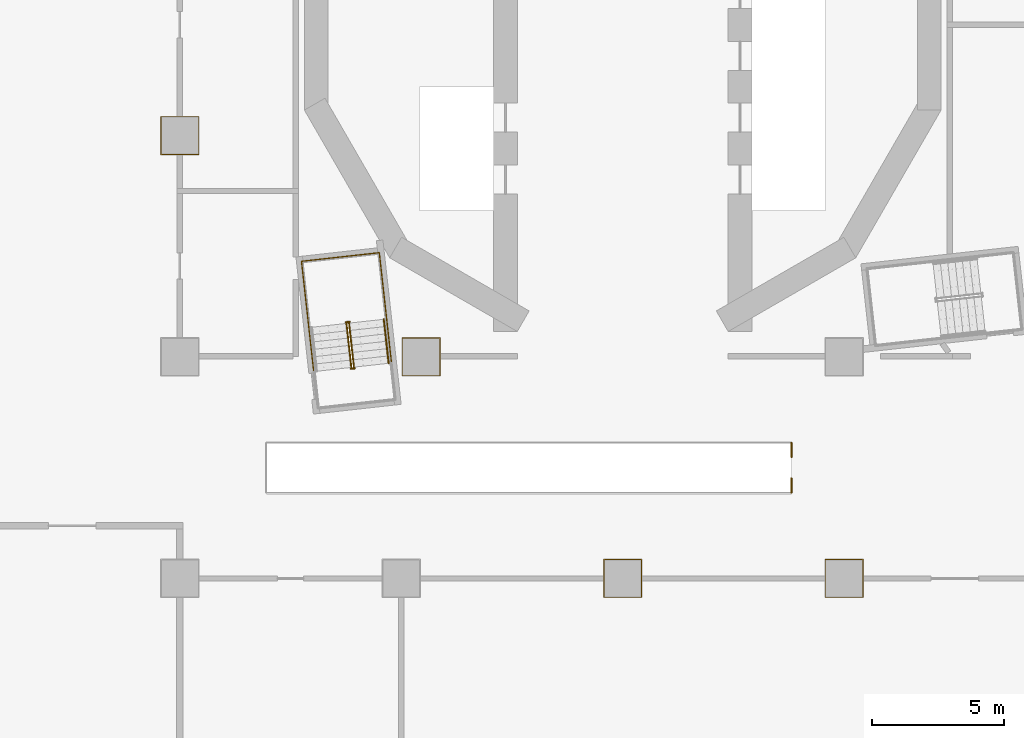
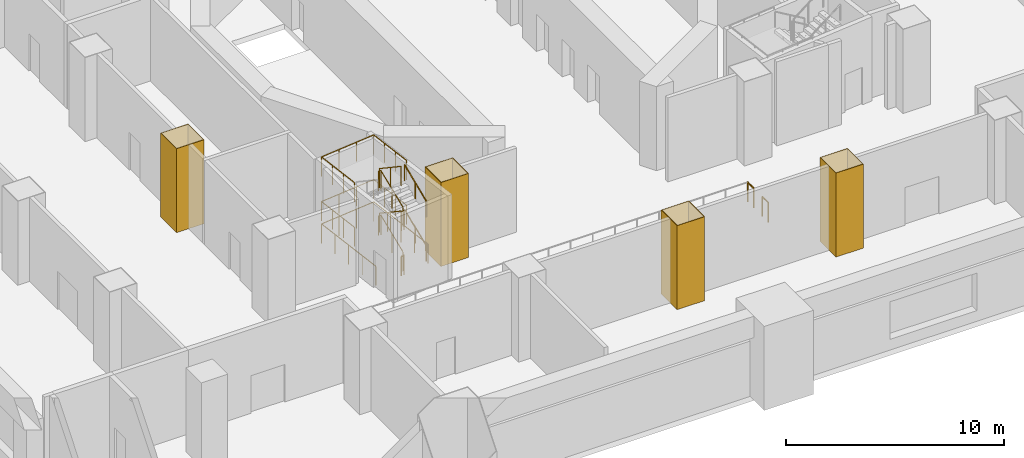
# One storey, part 11 of 19: 12 railings, 4 coverings.
"""IFC4 building model written with IfcOpenShell, lengths in metres."""

from ifc_helpers import new_model, si_unit, direction, frame, origin, origin_2d, place, context, subcontext, project, spatial, polyline, circle, outline, extrude, material, layer, layer_set, type_object, element, save


model = new_model("IFC4")

# Units and contexts
model_context = context("Model", 3, precision=1e-05, world=origin(), true_north=direction((0.0, 1.0)))
body_context = subcontext(model_context, "Body", "Model", "MODEL_VIEW")
ifc_project = project(units=[si_unit("LENGTHUNIT", "METRE"), si_unit("AREAUNIT", "SQUARE_METRE"), si_unit("VOLUMEUNIT", "CUBIC_METRE"), si_unit("PLANEANGLEUNIT", "RADIAN"), si_unit("MASSUNIT", "GRAM", prefix="KILO")], contexts=[model_context])

# Site, building, storey
site_placement = place(None, origin())
site = spatial("IfcSite", under=ifc_project, at=site_placement, CompositionType="ELEMENT")
building_placement = place(site_placement, origin())
building = spatial("IfcBuilding", under=site, at=building_placement, Name="Cantera Rosa Tower", CompositionType="ELEMENT")
storey_placement = place(building_placement, frame((0.0, 0.0, 12.0)))
storey = spatial("IfcBuildingStorey", under=building, at=storey_placement, Name="L01", CompositionType="ELEMENT", Elevation=12.0)

# Coverings
ifc_material_1 = material(Name="Plaster")
ifc_layer = layer(ifc_material_1, 0.030029296875)
ifc_layer_set = layer_set([ifc_layer], Name="Column casing 30")
covering_type = type_object("IfcCoveringType", Name="Column casing 30", PredefinedType="CLADDING", material=ifc_layer_set)
covering_1_placement = place(storey_placement, origin())
element("IfcCovering", 1, at=covering_1_placement, inside=storey, type_object=covering_type, Name="Column casing L01-008", PredefinedType="CLADDING", context=body_context, shape_type="SweptSolid", body=[
    extrude(outline(polyline([(-17.530029296875, -4.929931640625), (-16.070068359375, -4.929931640625), (-16.070068359375, -3.469970703125), (-17.530029296875, -3.469970703125), (-17.530029296875, -4.929931640625)]), holes=[polyline([(-16.10009765625, -3.5), (-17.5, -3.5), (-17.5, -4.89990234375), (-16.10009765625, -4.89990234375), (-16.10009765625, -3.5)])]), origin(), (0.0, 0.0, 1.0), 4.699951171875),
])
covering_2_placement = place(storey_placement, origin())
element("IfcCovering", 2, at=covering_2_placement, inside=storey, type_object=covering_type, Name="Column casing L01-014", PredefinedType="CLADDING", context=body_context, shape_type="SweptSolid", body=[
    extrude(outline(polyline([(-8.3798828125, -13.330078125), (-6.919921875, -13.330078125), (-6.919921875, -11.8701171875), (-8.3798828125, -11.8701171875), (-8.3798828125, -13.330078125)]), holes=[polyline([(-6.949951171875, -11.89990234375), (-8.35009765625, -11.89990234375), (-8.35009765625, -13.300048828125), (-6.949951171875, -13.300048828125), (-6.949951171875, -11.89990234375)])]), origin(), (0.0, 0.0, 1.0), 4.699951171875),
])
covering_3_placement = place(storey_placement, origin())
element("IfcCovering", 3, at=covering_3_placement, inside=storey, type_object=covering_type, Name="Column casing L01-017", PredefinedType="CLADDING", context=body_context, shape_type="SweptSolid", body=[
    extrude(outline(polyline([(-0.72998046875, -21.72998046875), (0.72998046875, -21.72998046875), (0.72998046875, -20.27001953125), (-0.72998046875, -20.27001953125), (-0.72998046875, -21.72998046875)]), holes=[polyline([(0.699951171875, -20.300048828125), (-0.699951171875, -20.300048828125), (-0.699951171875, -21.699951171875), (0.699951171875, -21.699951171875), (0.699951171875, -20.300048828125)])]), origin(), (0.0, 0.0, 1.0), 4.699951171875),
])
covering_4_placement = place(storey_placement, origin())
element("IfcCovering", 4, at=covering_4_placement, inside=storey, type_object=covering_type, Name="Column casing L01-020", PredefinedType="CLADDING", context=body_context, shape_type="SweptSolid", body=[
    extrude(outline(polyline([(7.669921875, -21.72998046875), (9.1298828125, -21.72998046875), (9.1298828125, -20.27001953125), (7.669921875, -20.27001953125), (7.669921875, -21.72998046875)]), holes=[polyline([(9.10009765625, -20.300048828125), (7.699951171875, -20.300048828125), (7.699951171875, -21.699951171875), (9.10009765625, -21.699951171875), (9.10009765625, -20.300048828125)])]), origin(), (0.0, 0.0, 1.0), 4.699951171875),
])

# Railings
ifc_material_2 = material(Name="Steel S355J2 (EN 10025-2)", Category="steel")
railing_type_1 = type_object("IfcRailingType", Name="STAIR GUARD 1100", PredefinedType="GUARDRAIL", material=ifc_material_2)
railing_1_placement = place(storey_placement, frame((-10.19677734375, -12.986083984375, 0.178466796875)))
element("IfcRailing", 5, at=railing_1_placement, inside=storey, type_object=railing_type_1, Name="L01 ST-13 stair guard 1", PredefinedType="GUARDRAIL", context=body_context, shape_type="SweptSolid", body=[
    extrude(circle(Radius=0.02392578125, at=origin_2d()), frame((0.0, 0.0, 1.076171875), z_axis=(-0.092996744609, 0.837950904326, 0.537763784046), x_axis=(-0.993897904819, -0.110303920128, 0.0)), (0.0, 0.0, 1.0), 1.99267578125),
    extrude(circle(Radius=0.02392578125, at=origin_2d()), frame((-0.185302734375, 1.669677734375, 2.1474609375), z_axis=(0.358689472963, 0.933456941688, 0.0), x_axis=(-0.933456941688, 0.358689472963, 0.0)), (0.0, 0.0, 1.0), 0.056396484375),
    extrude(circle(Radius=0.02392578125, at=origin_2d()), frame((-0.1650390625, 1.722412109375, 2.1474609375), z_axis=(-0.993863881828, -0.110610055588, 0.0), x_axis=(0.110610055588, -0.993863881828, 0.0)), (0.0, 0.0, 1.0), 0.150146484375),
    extrude(circle(Radius=0.02099609375, at=origin_2d()), origin(), (0.0, 0.0, 1.0), 1.052001953125),
    extrude(circle(Radius=0.02099609375, at=origin_2d()), frame((-0.0927734375, 0.8349609375, 0.53564453125)), (0.0, 0.0, 1.0), 1.052001953125),
    extrude(circle(Radius=0.02099609375, at=origin_2d()), frame((-0.185302734375, 1.669677734375, 1.071533203125)), (0.0, 0.0, 1.0), 1.052001953125),
    extrude(circle(Radius=0.02099609375, at=origin_2d()), frame((-0.1650390625, 1.722412109375, 1.071533203125)), (0.0, 0.0, 1.0), 1.052001953125),
    extrude(circle(Radius=0.02099609375, at=origin_2d()), frame((-0.314208984375, 1.705810546875, 1.071533203125)), (0.0, 0.0, 1.0), 1.052001953125),
])
railing_2_placement = place(storey_placement, frame((-10.4794921875, -11.3271484375, 1.428466796875)))
element("IfcRailing", 6, at=railing_2_placement, inside=storey, type_object=railing_type_1, Name="L01 ST-13 stair guard 2", PredefinedType="GUARDRAIL", context=body_context, shape_type="SweptSolid", body=[
    extrude(circle(Radius=0.02392578125, at=origin_2d()), frame((0.0, 0.0, 1.076171875), z_axis=(0.092996744609, -0.837950904326, 0.537763784046), x_axis=(0.993897904819, 0.110303920128, 0.0)), (0.0, 0.0, 1.0), 1.99267578125),
    extrude(circle(Radius=0.02392578125, at=origin_2d()), frame((0.185302734375, -1.669677734375, 2.1474609375), z_axis=(-0.363909256389, -0.931434406233, 0.0), x_axis=(0.931434406233, -0.363909256389, 0.0)), (0.0, 0.0, 1.0), 0.056396484375),
    extrude(circle(Radius=0.02392578125, at=origin_2d()), frame((0.164794921875, -1.72216796875, 2.1474609375), z_axis=(0.994041430915, 0.1090029065, 0.0), x_axis=(-0.1090029065, 0.994041430915, 0.0)), (0.0, 0.0, 1.0), 0.150146484375),
    extrude(circle(Radius=0.02099609375, at=origin_2d()), origin(), (0.0, 0.0, 1.0), 1.052001953125),
    extrude(circle(Radius=0.02099609375, at=origin_2d()), frame((0.0927734375, -0.8349609375, 0.53564453125)), (0.0, 0.0, 1.0), 1.052001953125),
    extrude(circle(Radius=0.02099609375, at=origin_2d()), frame((0.185302734375, -1.669677734375, 1.071533203125)), (0.0, 0.0, 1.0), 1.052001953125),
    extrude(circle(Radius=0.02099609375, at=origin_2d()), frame((0.164794921875, -1.72216796875, 1.071533203125)), (0.0, 0.0, 1.0), 1.052001953125),
    extrude(circle(Radius=0.02099609375, at=origin_2d()), frame((0.31396484375, -1.705810546875, 1.071533203125)), (0.0, 0.0, 1.0), 1.052001953125),
])
railing_3_placement = place(storey_placement, frame((-10.19677734375, -12.986083984375, 2.678466796875)))
element("IfcRailing", 7, at=railing_3_placement, inside=storey, type_object=railing_type_1, Name="L01 ST-13 stair guard 3", PredefinedType="GUARDRAIL", context=body_context, shape_type="SweptSolid", body=[
    extrude(circle(Radius=0.02392578125, at=origin_2d()), frame((0.0, 0.0, 1.076171875), z_axis=(-0.092996744609, 0.837950904326, 0.537763784046), x_axis=(-0.993897904819, -0.110303920128, 0.0)), (0.0, 0.0, 1.0), 1.99267578125),
    extrude(circle(Radius=0.02392578125, at=origin_2d()), frame((-0.185302734375, 1.669677734375, 2.1474609375), z_axis=(0.358689472963, 0.933456941688, 0.0), x_axis=(-0.933456941688, 0.358689472963, 0.0)), (0.0, 0.0, 1.0), 0.056396484375),
    extrude(circle(Radius=0.02392578125, at=origin_2d()), frame((-0.1650390625, 1.722412109375, 2.1474609375), z_axis=(-0.993863881828, -0.110610055588, 0.0), x_axis=(0.110610055588, -0.993863881828, 0.0)), (0.0, 0.0, 1.0), 0.150146484375),
    extrude(circle(Radius=0.02099609375, at=origin_2d()), origin(), (0.0, 0.0, 1.0), 1.052001953125),
    extrude(circle(Radius=0.02099609375, at=origin_2d()), frame((-0.0927734375, 0.8349609375, 0.53564453125)), (0.0, 0.0, 1.0), 1.052001953125),
    extrude(circle(Radius=0.02099609375, at=origin_2d()), frame((-0.185302734375, 1.669677734375, 1.071533203125)), (0.0, 0.0, 1.0), 1.052001953125),
    extrude(circle(Radius=0.02099609375, at=origin_2d()), frame((-0.1650390625, 1.722412109375, 1.071533203125)), (0.0, 0.0, 1.0), 1.052001953125),
    extrude(circle(Radius=0.02099609375, at=origin_2d()), frame((-0.314208984375, 1.705810546875, 1.071533203125)), (0.0, 0.0, 1.0), 1.052001953125),
])
railing_4_placement = place(storey_placement, frame((-10.4794921875, -11.3271484375, 3.928466796875)))
element("IfcRailing", 8, at=railing_4_placement, inside=storey, type_object=railing_type_1, Name="L01 ST-13 stair guard 4", PredefinedType="GUARDRAIL", context=body_context, shape_type="SweptSolid", body=[
    extrude(circle(Radius=0.02392578125, at=origin_2d()), frame((0.0, 0.0, 1.076171875), z_axis=(0.092996744609, -0.837950904326, 0.537763784046), x_axis=(0.993897904819, 0.110303920128, 0.0)), (0.0, 0.0, 1.0), 1.99267578125),
    extrude(circle(Radius=0.02099609375, at=origin_2d()), origin(), (0.0, 0.0, 1.0), 1.052001953125),
    extrude(circle(Radius=0.02099609375, at=origin_2d()), frame((0.0927734375, -0.8349609375, 0.53564453125)), (0.0, 0.0, 1.0), 1.052001953125),
    extrude(circle(Radius=0.02099609375, at=origin_2d()), frame((0.185302734375, -1.669677734375, 1.071533203125)), (0.0, 0.0, 1.0), 1.052001953125),
])
railing_5_placement = place(storey_placement, frame((-10.16552734375, -13.032958984375, 0.0)))
element("IfcRailing", 9, at=railing_5_placement, inside=storey, type_object=railing_type_1, Name="L01 ST-13 stair guard 5", PredefinedType="GUARDRAIL", context=body_context, shape_type="SweptSolid", body=[
    extrude(circle(Radius=0.02392578125, at=origin_2d()), frame((0.0, 0.0, 1.076171875), z_axis=(-0.994041430915, -0.1090029065, 0.0), x_axis=(0.1090029065, -0.994041430915, 0.0)), (0.0, 0.0, 1.0), 0.150146484375),
    extrude(circle(Radius=0.02099609375, at=origin_2d()), origin(), (0.0, 0.0, 1.0), 1.052001953125),
    extrude(circle(Radius=0.02099609375, at=origin_2d()), frame((-0.149169921875, -0.016357421875, 0.0)), (0.0, 0.0, 1.0), 1.052001953125),
])
railing_6_placement = place(storey_placement, frame((-8.77099609375, -12.815673828125, 0.0)))
element("IfcRailing", 10, at=railing_6_placement, inside=storey, type_object=railing_type_1, Name="L01 ST-13 stair guard 6", PredefinedType="GUARDRAIL", context=body_context, shape_type="SweptSolid", body=[
    extrude(circle(Radius=0.02392578125, at=origin_2d()), frame((0.0, 0.0, 1.076171875), z_axis=(-0.110323013767, 0.9938957856, 0.0), x_axis=(-0.9938957856, -0.110323013767, 0.0)), (0.0, 0.0, 1.0), 4.197998046875),
    extrude(circle(Radius=0.02392578125, at=origin_2d()), frame((-0.463134765625, 4.17236328125, 1.076171875), z_axis=(-0.993896759678, -0.110314237986, 0.0), x_axis=(0.110314237986, -0.993896759678, 0.0)), (0.0, 0.0, 1.0), 2.969970703125),
    extrude(circle(Radius=0.02392578125, at=origin_2d()), frame((-3.4150390625, 3.8447265625, 1.076171875), z_axis=(0.110323013767, -0.9938957856, 0.0), x_axis=(0.9938957856, 0.110323013767, 0.0)), (0.0, 0.0, 1.0), 4.197998046875),
    extrude(circle(Radius=0.02099609375, at=origin_2d()), origin(), (0.0, 0.0, 1.0), 1.052001953125),
    extrude(circle(Radius=0.02099609375, at=origin_2d()), frame((-0.11572265625, 1.04296875, 0.0)), (0.0, 0.0, 1.0), 1.052001953125),
    extrude(circle(Radius=0.02099609375, at=origin_2d()), frame((-0.2314453125, 2.086181640625, 0.0)), (0.0, 0.0, 1.0), 1.052001953125),
    extrude(circle(Radius=0.02099609375, at=origin_2d()), frame((-0.347412109375, 3.12939453125, 0.0)), (0.0, 0.0, 1.0), 1.052001953125),
    extrude(circle(Radius=0.02099609375, at=origin_2d()), frame((-0.463134765625, 4.17236328125, 0.0)), (0.0, 0.0, 1.0), 1.052001953125),
    extrude(circle(Radius=0.02099609375, at=origin_2d()), frame((-1.447021484375, 4.063232421875, 0.0)), (0.0, 0.0, 1.0), 1.052001953125),
    extrude(circle(Radius=0.02099609375, at=origin_2d()), frame((-2.43115234375, 3.953857421875, 0.0)), (0.0, 0.0, 1.0), 1.052001953125),
    extrude(circle(Radius=0.02099609375, at=origin_2d()), frame((-3.4150390625, 3.8447265625, 0.0)), (0.0, 0.0, 1.0), 1.052001953125),
    extrude(circle(Radius=0.02099609375, at=origin_2d()), frame((-3.29931640625, 2.8017578125, 0.0)), (0.0, 0.0, 1.0), 1.052001953125),
    extrude(circle(Radius=0.02099609375, at=origin_2d()), frame((-3.18359375, 1.758544921875, 0.0)), (0.0, 0.0, 1.0), 1.052001953125),
    extrude(circle(Radius=0.02099609375, at=origin_2d()), frame((-3.067626953125, 0.71533203125, 0.0)), (0.0, 0.0, 1.0), 1.052001953125),
    extrude(circle(Radius=0.02099609375, at=origin_2d()), frame((-2.951904296875, -0.32763671875, 0.0)), (0.0, 0.0, 1.0), 1.052001953125),
])
railing_7_placement = place(storey_placement, frame((-8.95361328125, -11.169921875, 1.25)))
element("IfcRailing", 11, at=railing_7_placement, inside=storey, type_object=railing_type_1, Name="L01 ST-13 stair guard 7", PredefinedType="GUARDRAIL", context=body_context, shape_type="SweptSolid", body=[
    extrude(circle(Radius=0.02392578125, at=origin_2d()), frame((0.0, 0.0, 1.076171875), z_axis=(-0.110347199982, 0.993893100618, 0.0), x_axis=(-0.993893100618, -0.110347199982, 0.0)), (0.0, 0.0, 1.0), 2.542236328125),
    extrude(circle(Radius=0.02392578125, at=origin_2d()), frame((-0.280517578125, 2.526611328125, 1.076171875), z_axis=(-0.993896759678, -0.110314237986, 0.0), x_axis=(0.110314237986, -0.993896759678, 0.0)), (0.0, 0.0, 1.0), 2.969970703125),
    extrude(circle(Radius=0.02392578125, at=origin_2d()), frame((-3.232421875, 2.198974609375, 1.076171875), z_axis=(0.110347199982, -0.993893100618, 0.0), x_axis=(0.993893100618, 0.110347199982, 0.0)), (0.0, 0.0, 1.0), 2.542236328125),
    extrude(circle(Radius=0.02099609375, at=origin_2d()), origin(), (0.0, 0.0, 1.0), 1.052001953125),
    extrude(circle(Radius=0.02099609375, at=origin_2d()), frame((-0.093505859375, 0.84228515625, 0.0)), (0.0, 0.0, 1.0), 1.052001953125),
    extrude(circle(Radius=0.02099609375, at=origin_2d()), frame((-0.18701171875, 1.684326171875, 0.0)), (0.0, 0.0, 1.0), 1.052001953125),
    extrude(circle(Radius=0.02099609375, at=origin_2d()), frame((-0.280517578125, 2.526611328125, 0.0)), (0.0, 0.0, 1.0), 1.052001953125),
    extrude(circle(Radius=0.02099609375, at=origin_2d()), frame((-1.264404296875, 2.41748046875, 0.0)), (0.0, 0.0, 1.0), 1.052001953125),
    extrude(circle(Radius=0.02099609375, at=origin_2d()), frame((-2.24853515625, 2.30810546875, 0.0)), (0.0, 0.0, 1.0), 1.052001953125),
    extrude(circle(Radius=0.02099609375, at=origin_2d()), frame((-3.232421875, 2.198974609375, 0.0)), (0.0, 0.0, 1.0), 1.052001953125),
    extrude(circle(Radius=0.02099609375, at=origin_2d()), frame((-3.138916015625, 1.356689453125, 0.0)), (0.0, 0.0, 1.0), 1.052001953125),
    extrude(circle(Radius=0.02099609375, at=origin_2d()), frame((-3.04541015625, 0.5146484375, 0.0)), (0.0, 0.0, 1.0), 1.052001953125),
    extrude(circle(Radius=0.02099609375, at=origin_2d()), frame((-2.951904296875, -0.32763671875, 0.0)), (0.0, 0.0, 1.0), 1.052001953125),
])
railing_8_placement = place(storey_placement, frame((-8.95361328125, -11.169921875, 3.75)))
element("IfcRailing", 12, at=railing_8_placement, inside=storey, type_object=railing_type_1, Name="L01 ST-13 stair guard 9", PredefinedType="GUARDRAIL", context=body_context, shape_type="SweptSolid", body=[
    extrude(circle(Radius=0.02392578125, at=origin_2d()), frame((0.0, 0.0, 1.076171875), z_axis=(-0.110347199982, 0.993893100618, 0.0), x_axis=(-0.993893100618, -0.110347199982, 0.0)), (0.0, 0.0, 1.0), 2.542236328125),
    extrude(circle(Radius=0.02392578125, at=origin_2d()), frame((-0.280517578125, 2.526611328125, 1.076171875), z_axis=(-0.993896759678, -0.110314237986, 0.0), x_axis=(0.110314237986, -0.993896759678, 0.0)), (0.0, 0.0, 1.0), 2.969970703125),
    extrude(circle(Radius=0.02392578125, at=origin_2d()), frame((-3.232421875, 2.198974609375, 1.076171875), z_axis=(0.110347199982, -0.993893100618, 0.0), x_axis=(0.993893100618, 0.110347199982, 0.0)), (0.0, 0.0, 1.0), 2.542236328125),
    extrude(circle(Radius=0.02099609375, at=origin_2d()), origin(), (0.0, 0.0, 1.0), 1.052001953125),
    extrude(circle(Radius=0.02099609375, at=origin_2d()), frame((-0.093505859375, 0.84228515625, 0.0)), (0.0, 0.0, 1.0), 1.052001953125),
    extrude(circle(Radius=0.02099609375, at=origin_2d()), frame((-0.18701171875, 1.684326171875, 0.0)), (0.0, 0.0, 1.0), 1.052001953125),
    extrude(circle(Radius=0.02099609375, at=origin_2d()), frame((-0.280517578125, 2.526611328125, 0.0)), (0.0, 0.0, 1.0), 1.052001953125),
    extrude(circle(Radius=0.02099609375, at=origin_2d()), frame((-1.264404296875, 2.41748046875, 0.0)), (0.0, 0.0, 1.0), 1.052001953125),
    extrude(circle(Radius=0.02099609375, at=origin_2d()), frame((-2.24853515625, 2.30810546875, 0.0)), (0.0, 0.0, 1.0), 1.052001953125),
    extrude(circle(Radius=0.02099609375, at=origin_2d()), frame((-3.232421875, 2.198974609375, 0.0)), (0.0, 0.0, 1.0), 1.052001953125),
    extrude(circle(Radius=0.02099609375, at=origin_2d()), frame((-3.138916015625, 1.356689453125, 0.0)), (0.0, 0.0, 1.0), 1.052001953125),
    extrude(circle(Radius=0.02099609375, at=origin_2d()), frame((-3.04541015625, 0.5146484375, 0.0)), (0.0, 0.0, 1.0), 1.052001953125),
    extrude(circle(Radius=0.02099609375, at=origin_2d()), frame((-2.951904296875, -0.32763671875, 0.0)), (0.0, 0.0, 1.0), 1.052001953125),
])
ifc_material_3 = material(Name="Steel S355J2 (EN 10025-2)", Category="steel")
railing_type_2 = type_object("IfcRailingType", Name="STAIR HANDRAIL 900", PredefinedType="HANDRAIL", material=ifc_material_3)
for number, where, name in (
    (13, (-8.87890625, -12.83984375, 0.178466796875), "L01 ST-13 stair handrail 1"),
    (14, (-8.87890625, -12.83984375, 2.678466796875), "L01 ST-13 stair handrail 3"),
):
    element("IfcRailing", number, at=place(storey_placement, frame(where)), inside=storey, type_object=railing_type_2, Name=name, PredefinedType="HANDRAIL", context=body_context, shape_type="SweptSolid", body=[
        extrude(circle(Radius=0.02392578125, at=origin_2d()), frame((0.0, 0.0, 0.8759765625), z_axis=(-0.092987197384, 0.837987391448, 0.537708576179), x_axis=(-0.993899672635, -0.11028798999, 0.0)), (0.0, 0.0, 1.0), 1.99267578125),
        extrude(circle(Radius=0.02099609375, at=origin_2d()), origin(), (0.0, 0.0, 1.0), 0.851806640625),
        extrude(circle(Radius=0.02099609375, at=origin_2d()), frame((-0.0927734375, 0.8349609375, 0.53564453125)), (0.0, 0.0, 1.0), 0.851806640625),
        extrude(circle(Radius=0.02099609375, at=origin_2d()), frame((-0.185302734375, 1.669921875, 1.071533203125)), (0.0, 0.0, 1.0), 0.851806640625),
    ])
ifc_material_4 = material(Name="Steel S355J2 (EN 10025-2)", Category="steel")
railing_type_3 = type_object("IfcRailingType", Name="Well guard 1100", PredefinedType="GUARDRAIL", material=ifc_material_4)
railing_9_placement = place(storey_placement, frame((6.39990234375, -17.75, 0.0)))
element("IfcRailing", 15, at=railing_9_placement, inside=storey, type_object=railing_type_3, Name="Guard at the top of escalator well L01", PredefinedType="GUARDRAIL", context=body_context, shape_type="SweptSolid", body=[
    extrude(circle(Radius=0.02392578125, at=origin_2d()), frame((0.0, 0.0, 1.076171875), z_axis=(0.0, 1.0, 0.0), x_axis=(-1.0, 0.0, 0.0)), (0.0, 0.0, 1.0), 0.550048828125),
    extrude(circle(Radius=0.02099609375, at=origin_2d()), origin(), (0.0, 0.0, 1.0), 1.052001953125),
    extrude(circle(Radius=0.02099609375, at=origin_2d()), frame((0.0, 0.550048828125, 0.0)), (0.0, 0.0, 1.0), 1.052001953125),
])
railing_10_placement = place(storey_placement, frame((6.39990234375, -16.39990234375, 0.0)))
element("IfcRailing", 16, at=railing_10_placement, inside=storey, type_object=railing_type_3, Name="Guard at the top of escalator well L01", PredefinedType="GUARDRAIL", context=body_context, shape_type="SweptSolid", body=[
    extrude(circle(Radius=0.02392578125, at=origin_2d()), frame((0.0, 0.0, 1.076171875), z_axis=(0.0, 1.0, 0.0), x_axis=(-1.0, 0.0, 0.0)), (0.0, 0.0, 1.0), 0.5498046875),
    extrude(circle(Radius=0.02099609375, at=origin_2d()), origin(), (0.0, 0.0, 1.0), 1.052001953125),
    extrude(circle(Radius=0.02099609375, at=origin_2d()), frame((0.0, 0.5498046875, 0.0)), (0.0, 0.0, 1.0), 1.052001953125),
])

save(model, "model.ifc")
